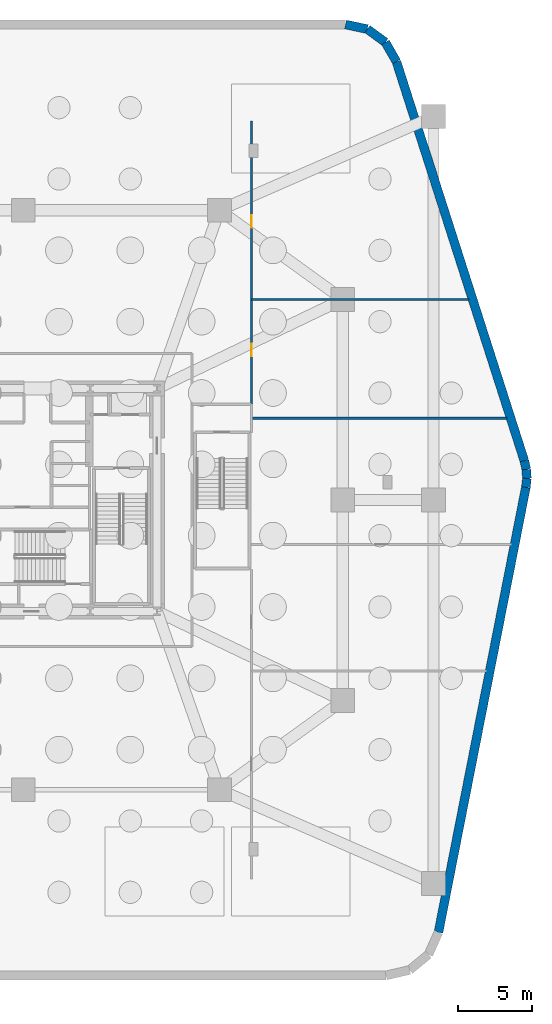
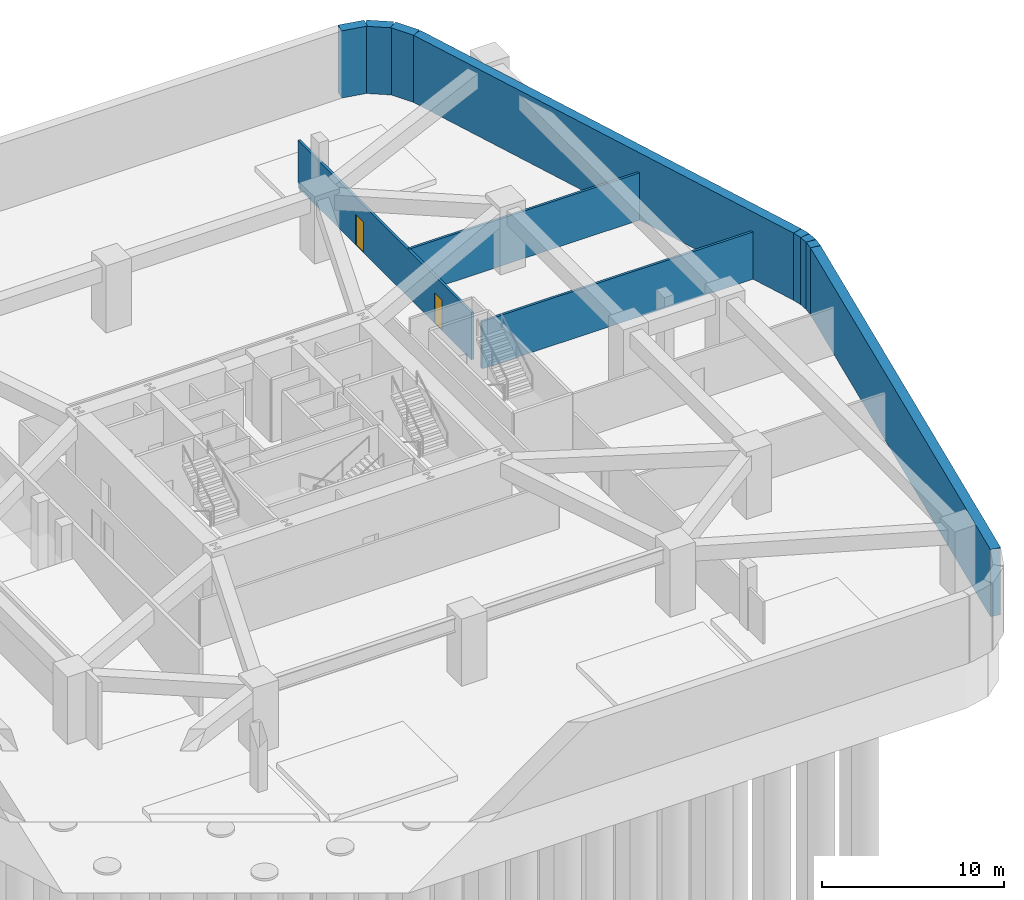
# One storey, part 5 of 8: 11 walls, 2 doors, 2 openings.
"""IFC4 building model written with IfcOpenShell, lengths in metres."""

from ifc_helpers import new_model, si_unit, direction, frame, frame_2d, origin, place, context, subcontext, project, spatial, rectangle, extrude, material, layer, layer_set, type_object, element, fill, save


model = new_model("IFC4")

# Units and contexts
model_context = context("Model", 3, precision=1e-05, world=origin(), true_north=direction((0.0, 1.0)))
body_context = subcontext(model_context, "Body", "Model", "MODEL_VIEW")
ifc_project = project(units=[si_unit("LENGTHUNIT", "METRE"), si_unit("AREAUNIT", "SQUARE_METRE"), si_unit("VOLUMEUNIT", "CUBIC_METRE"), si_unit("PLANEANGLEUNIT", "RADIAN"), si_unit("MASSUNIT", "GRAM", prefix="KILO")], contexts=[model_context])

# Site, building, storey
site_placement = place(None, origin())
site = spatial("IfcSite", under=ifc_project, at=site_placement, CompositionType="ELEMENT")
building_placement = place(site_placement, origin())
building = spatial("IfcBuilding", under=site, at=building_placement, Name="Kilnhurst Terrace Hotel", CompositionType="ELEMENT")
storey_placement = place(building_placement, frame((0.0, 0.0, -9.0)))
storey = spatial("IfcBuildingStorey", under=building, at=storey_placement, Name="B2", CompositionType="ELEMENT", Elevation=-9.0)

# Wall, openings, doors
ifc_material_1 = material(Name="Acoustic Double-Gypsum Corridor Partition Assembly")
ifc_layer_1 = layer(ifc_material_1, 0.14990234375, Name="Acoustic Double-Gypsum Corridor Partition Assembly")
ifc_layer_set_1 = layer_set([ifc_layer_1], Name="Acoustic Double-Gypsum Corridor Partition Assembly")
wall_type_1 = type_object("IfcWallType", Name="WL-COR-150", PredefinedType="PARTITIONING", material=ifc_layer_set_1)
wall_1_placement = place(storey_placement, frame((15.35009765625, 6.4599609375, 0.0), z_axis=(0.0, 0.0, 1.0), x_axis=(0.0, 1.0, 0.0)))
wall_1 = element("IfcWall", 1, at=wall_1_placement, inside=storey, type_object=wall_type_1, Name="B2 Interior Wall WL-B2-EWING-N", PredefinedType="PARTITIONING", context=body_context, shape_type="SweptSolid", body=[
    extrude(rectangle(XDim=19.0400390625, YDim=0.14990234375, at=frame_2d((9.52001953125, 0.0))), origin(), (0.0, 0.0, 1.0), 3.169921875),
])
opening_1_placement = place(wall_1_placement, frame((3.215087890625, 0.0, 0.0)))
opening_1 = element("IfcOpeningElement", 2, at=opening_1_placement, cuts=wall_1, Name="Opening D-60D", PredefinedType="OPENING", context=body_context, shape_type="SweptSolid", body=[
    extrude(rectangle(XDim=0.85009765625, YDim=2.030029296875, at=frame_2d((0.425048828125, 1.01513671875))), frame((0.0, 0.0849609375, 0.0), z_axis=(0.0, -1.0, 0.0), x_axis=(1.0, 0.0, 0.0)), (0.0, 0.0, 1.0), 0.169921875),
])
opening_2_placement = place(wall_1_placement, frame((11.864990234375, 0.0, 0.0)))
opening_2 = element("IfcOpeningElement", 3, at=opening_2_placement, cuts=wall_1, Name="Opening D-60D", PredefinedType="OPENING", context=body_context, shape_type="SweptSolid", body=[
    extrude(rectangle(XDim=0.85009765625, YDim=2.030029296875, at=frame_2d((0.425048828125, 1.01513671875))), frame((0.0, 0.0849609375, 0.0), z_axis=(0.0, -1.0, 0.0), x_axis=(1.0, 0.0, 0.0)), (0.0, 0.0, 1.0), 0.169921875),
])
ifc_material_2 = material(Name="Painted Hollow Metal Steel ASTM A36 Riser Door", Category="steel")
door_type = type_object("IfcDoorType", Name="DR-FD60-850", OperationType="NOTDEFINED", PredefinedType="DOOR", material=ifc_material_2)
door_1_placement = place(opening_1_placement, origin())
door_1 = element("IfcDoor", 4, at=door_1_placement, inside=storey, type_object=door_type, Name="B2 Hotel Central Laundry Door", OperationType="SINGLE_SWING_RIGHT", OverallHeight=2.030029296875, OverallWidth=0.85009765625, PredefinedType="DOOR", context=body_context, shape_type="SweptSolid", body=[
    extrude(rectangle(XDim=0.85009765625, YDim=2.030029296875, at=frame_2d((0.425048828125, 1.01513671875))), frame((0.0, 0.02490234375, 0.0), z_axis=(0.0, -1.0, 0.0), x_axis=(1.0, 0.0, 0.0)), (0.0, 0.0, 1.0), 0.050048828125),
])
fill(opening_1, door_1)
door_2_placement = place(opening_2_placement, origin())
door_2 = element("IfcDoor", 5, at=door_2_placement, inside=storey, type_object=door_type, Name="B2 Emergency Generator and Fuel Transfer Plant Room Door", OperationType="SINGLE_SWING_LEFT", OverallHeight=2.030029296875, OverallWidth=0.85009765625, PredefinedType="DOOR", context=body_context, shape_type="SweptSolid", body=[
    extrude(rectangle(XDim=0.85009765625, YDim=2.030029296875, at=frame_2d((0.425048828125, 1.01513671875))), frame((0.0, 0.02490234375, 0.0), z_axis=(0.0, -1.0, 0.0), x_axis=(1.0, 0.0, 0.0)), (0.0, 0.0, 1.0), 0.050048828125),
])
fill(opening_2, door_2)

# Walls
wall_2_placement = place(storey_placement, frame((15.35009765625, 5.5, 0.0), z_axis=(0.0, 0.0, 1.0), x_axis=(1.0, 0.0, 0.0)))
element("IfcWall", 6, at=wall_2_placement, inside=storey, type_object=wall_type_1, Name="B2 Interior Wall WL-B2-EDIV-3", PredefinedType="PARTITIONING", context=body_context, shape_type="SweptSolid", body=[
    extrude(rectangle(XDim=17.215087890625, YDim=0.14990234375, at=frame_2d((8.607421875, 0.0))), origin(), (0.0, 0.0, 1.0), 3.169921875),
])
wall_3_placement = place(storey_placement, frame((15.35009765625, 13.5, 0.0), z_axis=(0.0, 0.0, 1.0), x_axis=(1.0, 0.0, 0.0)))
element("IfcWall", 7, at=wall_3_placement, inside=storey, type_object=wall_type_1, Name="B2 Interior Wall WL-B2-EDIV-4", PredefinedType="PARTITIONING", context=body_context, shape_type="SweptSolid", body=[
    extrude(rectangle(XDim=14.651611328125, YDim=0.14990234375, at=frame_2d((7.32568359375, 0.0))), origin(), (0.0, 0.0, 1.0), 3.169921875),
])
ifc_material_3 = material(Name="Concrete C50/60", Category="concrete")
ifc_layer_2 = layer(ifc_material_3, 0.60009765625, Name="Concrete C50/60")
ifc_layer_set_2 = layer_set([ifc_layer_2], Name="Concrete C50/60")
wall_type_2 = type_object("IfcWallType", Name="WL-RET-600", PredefinedType="SHEAR", material=ifc_layer_set_2)
wall_4_placement = place(storey_placement, frame((27.940673828125, -29.09375, 0.0), z_axis=(0.0, 0.0, 1.0), x_axis=(0.192705549984, 0.981256628515, 0.0)))
element("IfcWall", 8, at=wall_4_placement, inside=storey, type_object=wall_type_2, Name="B2 Perimeter Shear Retaining Wall 8", PredefinedType="SHEAR", context=body_context, shape_type="SweptSolid", body=[
    extrude(rectangle(XDim=30.51611328125, YDim=0.60009765625, at=frame_2d((15.258056640625, 0.0))), origin(), (0.0, 0.0, 1.0), 4.5),
])
wall_5_placement = place(storey_placement, frame((33.8212890625, 0.850341796875, 0.0), z_axis=(0.0, 0.0, 1.0), x_axis=(0.109899357688, 0.993942720271, 0.0)))
element("IfcWall", 9, at=wall_5_placement, inside=storey, type_object=wall_type_2, Name="B2 Perimeter Shear Retaining Wall 9", PredefinedType="SHEAR", context=body_context, shape_type="SweptSolid", body=[
    extrude(rectangle(XDim=0.604248046875, YDim=0.60009765625, at=frame_2d((0.30224609375, 0.0))), origin(), (0.0, 0.0, 1.0), 4.5),
])
for number, where, z_axis, x_axis, name in (
    (10, (33.8876953125, 1.450927734375, 0.0), (0.0, 0.0, 1.0), (-0.058200771406, 0.998304898419, 0.0), "B2 Perimeter Shear Retaining Wall 10"),
    (11, (33.8525390625, 2.053955078125, 0.0), (0.0, 0.0, 1.0), (-0.224328116051, 0.97451367171, 0.0), "B2 Perimeter Shear Retaining Wall 11"),
):
    element("IfcWall", number, at=place(storey_placement, frame(where, z_axis=z_axis, x_axis=x_axis)), inside=storey, type_object=wall_type_2, Name=name, PredefinedType="SHEAR", context=body_context, shape_type="SweptSolid", body=[
        extrude(rectangle(XDim=0.60400390625, YDim=0.60009765625, at=frame_2d((0.302001953125, 0.0))), origin(), (0.0, 0.0, 1.0), 4.5),
    ])
wall_6_placement = place(storey_placement, frame((33.717041015625, 2.642578125, 0.0), z_axis=(0.0, 0.0, 1.0), x_axis=(-0.305147622554, 0.952305060603, 0.0)))
element("IfcWall", 12, at=wall_6_placement, inside=storey, type_object=wall_type_2, Name="B2 Perimeter Shear Retaining Wall 12", PredefinedType="SHEAR", context=body_context, shape_type="SweptSolid", body=[
    extrude(rectangle(XDim=28.200927734375, YDim=0.60009765625, at=frame_2d((14.1005859375, 0.0))), origin(), (0.0, 0.0, 1.0), 4.5),
])
for number, where, z_axis, x_axis, name in (
    (13, (25.111572265625, 29.49853515625, 0.0), (0.0, 0.0, 1.0), (-0.497154066909, 0.867662280934, 0.0), "B2 Perimeter Shear Retaining Wall 13"),
    (14, (24.364990234375, 30.801513671875, 0.0), (0.0, 0.0, 1.0), (-0.807736541804, 0.58954361928, 0.0), "B2 Perimeter Shear Retaining Wall 14"),
    (15, (23.152099609375, 31.686767578125, 0.0), (0.0, 0.0, 1.0), (-0.978006545164, 0.208574201703, 0.0), "B2 Perimeter Shear Retaining Wall 15"),
):
    element("IfcWall", number, at=place(storey_placement, frame(where, z_axis=z_axis, x_axis=x_axis)), inside=storey, type_object=wall_type_2, Name=name, PredefinedType="SHEAR", context=body_context, shape_type="SweptSolid", body=[
        extrude(rectangle(XDim=1.501708984375, YDim=0.60009765625, at=frame_2d((0.7509765625, 0.0))), origin(), (0.0, 0.0, 1.0), 4.5),
    ])

save(model, "model.ifc")
